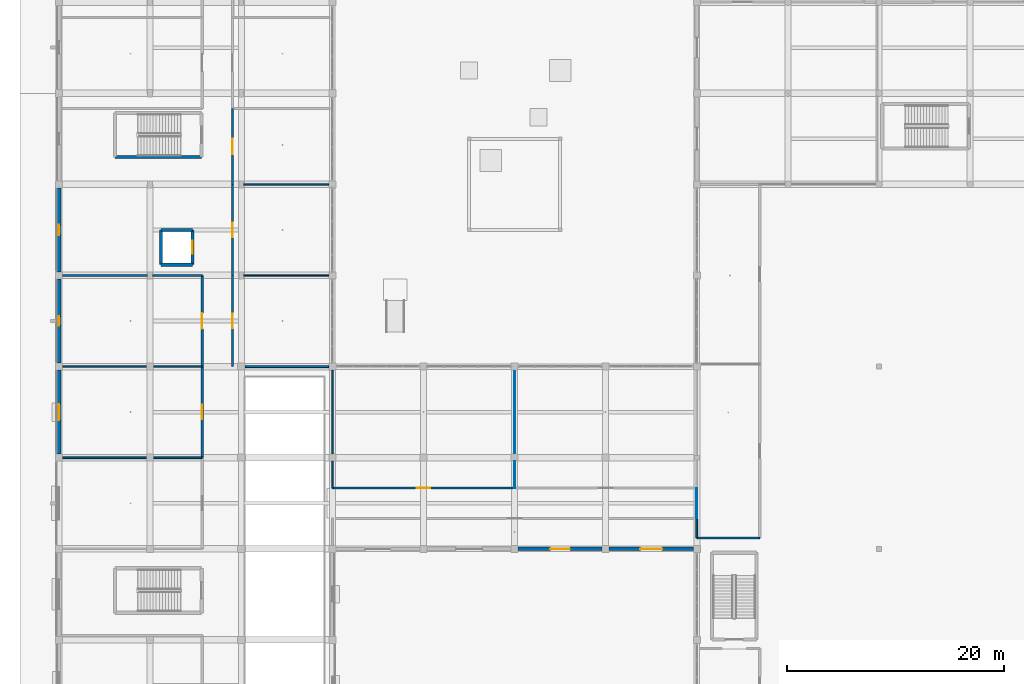
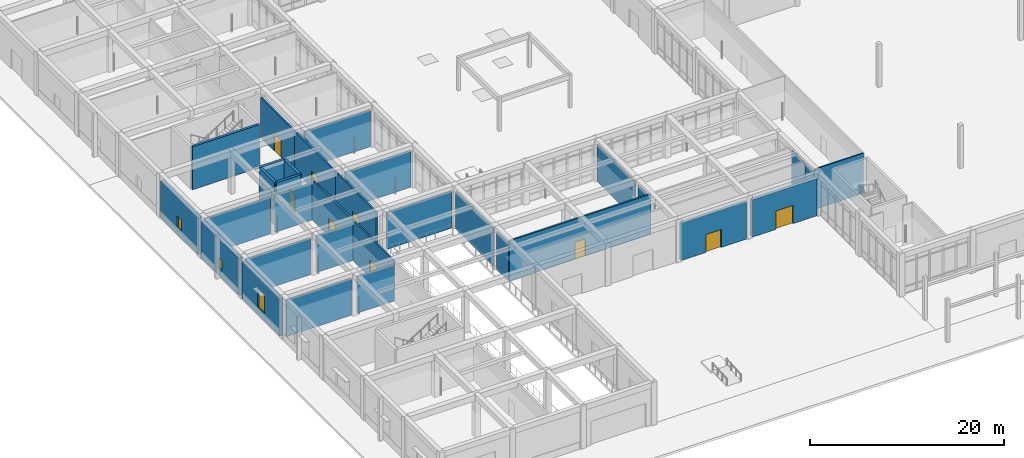
# One storey, part 62 of 167: 32 walls, 9 doors, 3 windows, 12 openings.
"""IFC4 building model written with IfcOpenShell, lengths in metres."""

from ifc_helpers import new_model, si_unit, direction, frame, frame_2d, origin, place, context, subcontext, project, spatial, rectangle, extrude, material, layer, layer_set, type_object, element, fill, save


model = new_model("IFC4")

# Units and contexts
model_context = context("Model", 3, precision=1e-05, world=origin(), true_north=direction((0.0, 1.0)))
body_context = subcontext(model_context, "Body", "Model", "MODEL_VIEW")
ifc_project = project(units=[si_unit("LENGTHUNIT", "METRE"), si_unit("AREAUNIT", "SQUARE_METRE"), si_unit("VOLUMEUNIT", "CUBIC_METRE"), si_unit("PLANEANGLEUNIT", "RADIAN"), si_unit("MASSUNIT", "GRAM", prefix="KILO")], contexts=[model_context])

# Site, building, storey
site_placement = place(None, origin())
site = spatial("IfcSite", under=ifc_project, at=site_placement, CompositionType="ELEMENT")
building_placement = place(site_placement, origin())
building = spatial("IfcBuilding", under=site, at=building_placement, Name="Varncliffe General Hospital", CompositionType="ELEMENT")
storey_placement = place(building_placement, origin())
storey = spatial("IfcBuildingStorey", under=building, at=storey_placement, Name="L00", CompositionType="ELEMENT", Elevation=0.0)

# Wall, opening, window
ifc_material_1 = material(Name="Precast concrete C40/50 with insulated cream lime-cement stucco", Category="concrete")
ifc_layer_1 = layer(ifc_material_1, 0.3798828125)
ifc_layer_set_1 = layer_set([ifc_layer_1], Name="Precast concrete C40/50 with insulated cream lime-cement stucco")
wall_type_1 = type_object("IfcWallType", Name="Exterior Insulated Stucco Wall EW26 (380mm)", PredefinedType="SOLIDWALL", material=ifc_layer_set_1)
wall_1_placement = place(storey_placement, frame((0.0, 49.52294921875, 0.0), z_axis=(0.0, 0.0, 1.0), x_axis=(0.0, 1.0, 0.0)))
wall_1 = element("IfcWall", 1, at=wall_1_placement, inside=storey, type_object=wall_type_1, Name="L00 Exterior Stucco Wall EW26-2", PredefinedType="SOLIDWALL", context=body_context, shape_type="SweptSolid", body=[
    extrude(rectangle(XDim=7.754150390625, YDim=0.3798828125, at=frame_2d((3.876953125, 0.0))), origin(), (0.0, 0.0, 1.0), 4.679931640625),
])
opening_1_placement = place(wall_1_placement, frame((3.402099609375, 0.0, 0.89990234375)))
opening_1 = element("IfcOpeningElement", 2, at=opening_1_placement, cuts=wall_1, Name="Opening WN39", PredefinedType="OPENING", context=body_context, shape_type="SweptSolid", body=[
    extrude(rectangle(XDim=0.949951171875, YDim=1.39990234375, at=frame_2d((0.47509765625, 0.699951171875))), frame((0.0, 0.199951171875, 0.0), z_axis=(0.0, -1.0, 0.0), x_axis=(1.0, 0.0, 0.0)), (0.0, 0.0, 1.0), 0.39990234375),
])
ifc_material_2 = material(Name="Triple low-E argon insulated vision glazing", Category="glass")
window_type_1 = type_object("IfcWindowType", Name="Triple-Glazed Hospital Window WN39 (950x1400)", PartitioningType="SINGLE_PANEL", PredefinedType="WINDOW", material=ifc_material_2)
window_1_placement = place(opening_1_placement, origin())
window_1 = element("IfcWindow", 3, at=window_1_placement, inside=storey, type_object=window_type_1, Name="L00 Hospital Window WN39-2", OverallHeight=1.39990234375, OverallWidth=0.949951171875, PartitioningType="SINGLE_PANEL", PredefinedType="WINDOW", context=body_context, shape_type="SweptSolid", body=[
    extrude(rectangle(XDim=0.949951171875, YDim=1.39990234375, at=frame_2d((0.47509765625, 0.699951171875))), frame((0.0, 0.030029296875, 0.0), z_axis=(0.0, -1.0, 0.0), x_axis=(1.0, 0.0, 0.0)), (0.0, 0.0, 1.0), 0.06005859375),
])
fill(opening_1, window_1)

# Wall, opening, door
ifc_layer_2 = layer(ifc_material_1, 0.330078125)
ifc_layer_set_2 = layer_set([ifc_layer_2], Name="Precast concrete C40/50 with insulated cream lime-cement stucco")
wall_type_2 = type_object("IfcWallType", Name="Exterior Insulated Stucco Wall EW33 (330mm)", PredefinedType="SOLIDWALL", material=ifc_layer_set_2)
wall_2_placement = place(storey_placement, frame((50.076904296875, 24.0, 0.0), z_axis=(0.0, 0.0, 1.0), x_axis=(-1.0, 0.0, 0.0)))
wall_2 = element("IfcWall", 4, at=wall_2_placement, inside=storey, type_object=wall_type_2, Name="L00 Exterior Stucco Wall EW33-68", PredefinedType="SOLIDWALL", context=body_context, shape_type="SweptSolid", body=[
    extrude(rectangle(XDim=7.75390625, YDim=0.330078125, at=frame_2d((3.876953125, 0.0))), origin(), (0.0, 0.0, 1.0), 4.679931640625),
])
opening_2_placement = place(wall_2_placement, frame((2.97705078125, 0.0, 0.0)))
opening_2 = element("IfcOpeningElement", 5, at=opening_2_placement, cuts=wall_2, Name="Opening DE28", PredefinedType="OPENING", context=body_context, shape_type="SweptSolid", body=[
    extrude(rectangle(XDim=1.800048828125, YDim=2.25, at=frame_2d((0.89990234375, 1.125))), frame((0.0, 0.175048828125, 0.0), z_axis=(0.0, -1.0, 0.0), x_axis=(1.0, 0.0, 0.0)), (0.0, 0.0, 1.0), 0.35009765625),
])
ifc_material_3 = material(Name="Thermally broken bronze-anodized aluminium and safety glass door", Category="aluminium")
door_type_1 = type_object("IfcDoorType", Name="Exterior Pedestrian Door DE28 (1800x2250)", OperationType="NOTDEFINED", PredefinedType="DOOR", material=ifc_material_3)
door_1_placement = place(opening_2_placement, origin())
door_1 = element("IfcDoor", 6, at=door_1_placement, inside=storey, type_object=door_type_1, Name="Main Pedestrian Entrance and Final Exit Door FE-23", OperationType="DOUBLE_DOOR_SINGLE_SWING", OverallHeight=2.25, OverallWidth=1.800048828125, PredefinedType="DOOR", context=body_context, shape_type="SweptSolid", body=[
    extrude(rectangle(XDim=1.800048828125, YDim=2.25, at=frame_2d((0.89990234375, 1.125))), frame((0.0, 0.02490234375, 0.0), z_axis=(0.0, -1.0, 0.0), x_axis=(1.0, 0.0, 0.0)), (0.0, 0.0, 1.0), 0.050048828125),
])
fill(opening_2, door_1)

ifc_layer_3 = layer(ifc_material_1, 0.35009765625)
ifc_layer_set_3 = layer_set([ifc_layer_3], Name="Precast concrete C40/50 with insulated cream lime-cement stucco")
wall_type_3 = type_object("IfcWallType", Name="Exterior Insulated Stucco Wall EW37 (350mm)", PredefinedType="SOLIDWALL", material=ifc_layer_set_3)
wall_3_placement = place(storey_placement, frame((58.47705078125, 24.0, 0.0), z_axis=(0.0, 0.0, 1.0), x_axis=(-1.0, 0.0, 0.0)))
wall_3 = element("IfcWall", 7, at=wall_3_placement, inside=storey, type_object=wall_type_3, Name="L00 Exterior Stucco Wall EW37-67", PredefinedType="SOLIDWALL", context=body_context, shape_type="SweptSolid", body=[
    extrude(rectangle(XDim=7.754150390625, YDim=0.35009765625, at=frame_2d((3.876953125, 0.0))), origin(), (0.0, 0.0, 1.0), 4.679931640625),
])
opening_3_placement = place(wall_3_placement, frame((2.876953125, 0.0, 0.0)))
opening_3 = element("IfcOpeningElement", 8, at=opening_3_placement, cuts=wall_3, Name="Opening DE53", PredefinedType="OPENING", context=body_context, shape_type="SweptSolid", body=[
    extrude(rectangle(XDim=2.0, YDim=2.300048828125, at=frame_2d((1.0, 1.14990234375))), frame((0.0, 0.18505859375, 0.0), z_axis=(0.0, -1.0, 0.0), x_axis=(1.0, 0.0, 0.0)), (0.0, 0.0, 1.0), 0.3701171875),
])
door_type_2 = type_object("IfcDoorType", Name="Exterior Pedestrian Door DE53 (2000x2300)", OperationType="NOTDEFINED", PredefinedType="DOOR", material=ifc_material_3)
door_2_placement = place(opening_3_placement, origin())
door_2 = element("IfcDoor", 9, at=door_2_placement, inside=storey, type_object=door_type_2, Name="Main Pedestrian Entrance and Final Exit Door FE-22", OperationType="DOUBLE_DOOR_SINGLE_SWING", OverallHeight=2.300048828125, OverallWidth=2.0, PredefinedType="DOOR", context=body_context, shape_type="SweptSolid", body=[
    extrude(rectangle(XDim=2.0, YDim=2.300048828125, at=frame_2d((1.0, 1.14990234375))), frame((0.0, 0.02490234375, 0.0), z_axis=(0.0, -1.0, 0.0), x_axis=(1.0, 0.0, 0.0)), (0.0, 0.0, 1.0), 0.050048828125),
])
fill(opening_3, door_2)

# Wall, opening, window
ifc_layer_4 = layer(ifc_material_1, 0.39990234375)
ifc_layer_set_4 = layer_set([ifc_layer_4], Name="Precast concrete C40/50 with insulated cream lime-cement stucco")
wall_type_4 = type_object("IfcWallType", Name="Exterior Insulated Stucco Wall EW47 (400mm)", PredefinedType="SOLIDWALL", material=ifc_layer_set_4)
wall_4_placement = place(storey_placement, frame((0.0, 41.123046875, 0.0), z_axis=(0.0, 0.0, 1.0), x_axis=(0.0, 1.0, 0.0)))
wall_4 = element("IfcWall", 10, at=wall_4_placement, inside=storey, type_object=wall_type_4, Name="L00 Exterior Stucco Wall EW47-1", PredefinedType="SOLIDWALL", context=body_context, shape_type="SweptSolid", body=[
    extrude(rectangle(XDim=7.75390625, YDim=0.39990234375, at=frame_2d((3.876953125, 0.0))), origin(), (0.0, 0.0, 1.0), 4.679931640625),
])
opening_4_placement = place(wall_4_placement, frame((3.451904296875, 0.0, 0.89990234375)))
opening_4 = element("IfcOpeningElement", 11, at=opening_4_placement, cuts=wall_4, Name="Opening WN77", PredefinedType="OPENING", context=body_context, shape_type="SweptSolid", body=[
    extrude(rectangle(XDim=0.85009765625, YDim=1.39990234375, at=frame_2d((0.425048828125, 0.699951171875))), frame((0.0, 0.2099609375, 0.0), z_axis=(0.0, -1.0, 0.0), x_axis=(1.0, 0.0, 0.0)), (0.0, 0.0, 1.0), 0.419921875),
])
window_type_2 = type_object("IfcWindowType", Name="Triple-Glazed Hospital Window WN77 (850x1400)", PartitioningType="SINGLE_PANEL", PredefinedType="WINDOW", material=ifc_material_2)
window_2_placement = place(opening_4_placement, origin())
window_2 = element("IfcWindow", 12, at=window_2_placement, inside=storey, type_object=window_type_2, Name="L00 Hospital Window WN77-1", OverallHeight=1.39990234375, OverallWidth=0.85009765625, PartitioningType="SINGLE_PANEL", PredefinedType="WINDOW", context=body_context, shape_type="SweptSolid", body=[
    extrude(rectangle(XDim=0.85009765625, YDim=1.39990234375, at=frame_2d((0.425048828125, 0.699951171875))), frame((0.0, 0.030029296875, 0.0), z_axis=(0.0, -1.0, 0.0), x_axis=(1.0, 0.0, 0.0)), (0.0, 0.0, 1.0), 0.06005859375),
])
fill(opening_4, window_2)

wall_5_placement = place(storey_placement, frame((0.0, 32.722900390625, 0.0), z_axis=(0.0, 0.0, 1.0), x_axis=(0.0, 1.0, 0.0)))
wall_5 = element("IfcWall", 13, at=wall_5_placement, inside=storey, type_object=wall_type_4, Name="L00 Exterior Stucco Wall EW47-81", PredefinedType="SOLIDWALL", context=body_context, shape_type="SweptSolid", body=[
    extrude(rectangle(XDim=7.754150390625, YDim=0.39990234375, at=frame_2d((3.876953125, 0.0))), origin(), (0.0, 0.0, 1.0), 4.679931640625),
])
opening_5_placement = place(wall_5_placement, frame((3.126953125, 0.0, 0.89990234375)))
opening_5 = element("IfcOpeningElement", 14, at=opening_5_placement, cuts=wall_5, Name="Opening WN14", PredefinedType="OPENING", context=body_context, shape_type="SweptSolid", body=[
    extrude(rectangle(XDim=1.5, YDim=2.35009765625, at=frame_2d((0.75, 1.175048828125))), frame((0.0, 0.2099609375, 0.0), z_axis=(0.0, -1.0, 0.0), x_axis=(1.0, 0.0, 0.0)), (0.0, 0.0, 1.0), 0.419921875),
])
window_type_3 = type_object("IfcWindowType", Name="Triple-Glazed Hospital Window WN14 (1500x2350)", PartitioningType="SINGLE_PANEL", PredefinedType="WINDOW", material=ifc_material_2)
window_3_placement = place(opening_5_placement, origin())
window_3 = element("IfcWindow", 15, at=window_3_placement, inside=storey, type_object=window_type_3, Name="L00 Hospital Window WN14-41", OverallHeight=2.35009765625, OverallWidth=1.5, PartitioningType="SINGLE_PANEL", PredefinedType="WINDOW", context=body_context, shape_type="SweptSolid", body=[
    extrude(rectangle(XDim=1.5, YDim=2.35009765625, at=frame_2d((0.75, 1.175048828125))), frame((0.0, 0.030029296875, 0.0), z_axis=(0.0, -1.0, 0.0), x_axis=(1.0, 0.0, 0.0)), (0.0, 0.0, 1.0), 0.06005859375),
])
fill(opening_5, window_3)

# Walls
ifc_material_4 = material(Name="Acoustic clinical gypsum stud partition assembly", Category="gypsum")
ifc_layer_5 = layer(ifc_material_4, 0.1298828125)
ifc_layer_set_5 = layer_set([ifc_layer_5], Name="Acoustic clinical gypsum stud partition assembly")
wall_type_5 = type_object("IfcWallType", Name="Interior Partitioning IW11 (130mm)", PredefinedType="PARTITIONING", material=ifc_layer_set_5)
wall_6_placement = place(storey_placement, frame((0.340087890625, 40.800048828125, 0.0), z_axis=(0.0, 0.0, 1.0), x_axis=(1.0, 0.0, 0.0)))
element("IfcWall", 16, at=wall_6_placement, inside=storey, type_object=wall_type_5, Name="L00 Interior Partition Wall IW11-98", PredefinedType="PARTITIONING", context=body_context, shape_type="SweptSolid", body=[
    extrude(rectangle(XDim=7.719970703125, YDim=0.1298828125, at=frame_2d((3.85986328125, 0.0))), origin(), (0.0, 0.0, 1.0), 4.635009765625),
])
wall_7_placement = place(storey_placement, frame((8.739990234375, 40.800048828125, 0.0), z_axis=(0.0, 0.0, 1.0), x_axis=(1.0, 0.0, 0.0)))
element("IfcWall", 17, at=wall_7_placement, inside=storey, type_object=wall_type_5, Name="L00 Interior Partition Wall IW11-99", PredefinedType="PARTITIONING", context=body_context, shape_type="SweptSolid", body=[
    extrude(rectangle(XDim=4.4599609375, YDim=0.1298828125, at=frame_2d((2.22998046875, 0.0))), origin(), (0.0, 0.0, 1.0), 4.635009765625),
])
ifc_layer_6 = layer(ifc_material_4, 0.169921875)
ifc_layer_set_6 = layer_set([ifc_layer_6], Name="Acoustic clinical gypsum stud partition assembly")
wall_type_6 = type_object("IfcWallType", Name="Interior Partitioning IW20 (170mm)", PredefinedType="PARTITIONING", material=ifc_layer_set_6)
wall_8_placement = place(storey_placement, frame((17.139892578125, 40.800048828125, 0.0), z_axis=(0.0, 0.0, 1.0), x_axis=(1.0, 0.0, 0.0)))
element("IfcWall", 18, at=wall_8_placement, inside=storey, type_object=wall_type_6, Name="L00 Interior Partition Wall IW20-100", PredefinedType="PARTITIONING", context=body_context, shape_type="SweptSolid", body=[
    extrude(rectangle(XDim=7.72021484375, YDim=0.169921875, at=frame_2d((3.860107421875, 0.0))), origin(), (0.0, 0.0, 1.0), 4.635009765625),
])
wall_9_placement = place(storey_placement, frame((0.340087890625, 49.199951171875, 0.0), z_axis=(0.0, 0.0, 1.0), x_axis=(1.0, 0.0, 0.0)))
element("IfcWall", 19, at=wall_9_placement, inside=storey, type_object=wall_type_6, Name="L00 Interior Partition Wall IW20-105", PredefinedType="PARTITIONING", context=body_context, shape_type="SweptSolid", body=[
    extrude(rectangle(XDim=7.81982421875, YDim=0.169921875, at=frame_2d((3.909912109375, 0.0))), origin(), (0.0, 0.0, 1.0), 4.635009765625),
])
wall_10_placement = place(storey_placement, frame((8.639892578125, 49.199951171875, 0.0), z_axis=(0.0, 0.0, 1.0), x_axis=(1.0, 0.0, 0.0)))
element("IfcWall", 20, at=wall_10_placement, inside=storey, type_object=wall_type_6, Name="L00 Interior Partition Wall IW20-106", PredefinedType="PARTITIONING", context=body_context, shape_type="SweptSolid", body=[
    extrude(rectangle(XDim=4.56005859375, YDim=0.169921875, at=frame_2d((2.280029296875, 0.0))), origin(), (0.0, 0.0, 1.0), 4.635009765625),
])
wall_11_placement = place(storey_placement, frame((58.800048828125, 25.0, 0.0), z_axis=(0.0, 0.0, 1.0), x_axis=(0.0, 1.0, 0.0)))
element("IfcWall", 21, at=wall_11_placement, inside=storey, type_object=wall_type_6, Name="L00 Interior Partition Wall IW20-315", PredefinedType="PARTITIONING", context=body_context, shape_type="SweptSolid", body=[
    extrude(rectangle(XDim=1.800048828125, YDim=0.169921875, at=frame_2d((0.89990234375, 0.0))), origin(), (0.0, 0.0, 1.0), 4.68505859375),
])
ifc_layer_7 = layer(ifc_material_4, 0.14990234375)
ifc_layer_set_7 = layer_set([ifc_layer_7], Name="Acoustic clinical gypsum stud partition assembly")
wall_type_7 = type_object("IfcWallType", Name="Interior Partitioning IW35 (150mm)", PredefinedType="PARTITIONING", material=ifc_layer_set_7)
wall_12_placement = place(storey_placement, frame((58.800048828125, 25.0, 0.0), z_axis=(0.0, 0.0, 1.0), x_axis=(1.0, 0.0, 0.0)))
element("IfcWall", 22, at=wall_12_placement, inside=storey, type_object=wall_type_7, Name="L00 Interior Partition Wall IW35-79", PredefinedType="PARTITIONING", context=body_context, shape_type="SweptSolid", body=[
    extrude(rectangle(XDim=5.800048828125, YDim=0.14990234375, at=frame_2d((2.89990234375, 0.0))), origin(), (0.0, 0.0, 1.0), 5.0400390625),
])
wall_13_placement = place(storey_placement, frame((0.340087890625, 32.39990234375, 0.0), z_axis=(0.0, 0.0, 1.0), x_axis=(1.0, 0.0, 0.0)))
element("IfcWall", 23, at=wall_13_placement, inside=storey, type_object=wall_type_7, Name="L00 Interior Partition Wall IW35-94", PredefinedType="PARTITIONING", context=body_context, shape_type="SweptSolid", body=[
    extrude(rectangle(XDim=7.719970703125, YDim=0.14990234375, at=frame_2d((3.85986328125, 0.0))), origin(), (0.0, 0.0, 1.0), 4.635009765625),
])
wall_14_placement = place(storey_placement, frame((8.739990234375, 32.39990234375, 0.0), z_axis=(0.0, 0.0, 1.0), x_axis=(1.0, 0.0, 0.0)))
element("IfcWall", 24, at=wall_14_placement, inside=storey, type_object=wall_type_7, Name="L00 Interior Partition Wall IW35-95", PredefinedType="PARTITIONING", context=body_context, shape_type="SweptSolid", body=[
    extrude(rectangle(XDim=4.4599609375, YDim=0.14990234375, at=frame_2d((2.22998046875, 0.0))), origin(), (0.0, 0.0, 1.0), 4.635009765625),
])
wall_15_placement = place(storey_placement, frame((17.0400390625, 57.60009765625, 0.0), z_axis=(0.0, 0.0, 1.0), x_axis=(1.0, 0.0, 0.0)))
element("IfcWall", 25, at=wall_15_placement, inside=storey, type_object=wall_type_7, Name="L00 Interior Partition Wall IW35-109", PredefinedType="PARTITIONING", context=body_context, shape_type="SweptSolid", body=[
    extrude(rectangle(XDim=7.820068359375, YDim=0.14990234375, at=frame_2d((3.91015625, 0.0))), origin(), (0.0, 0.0, 1.0), 4.635009765625),
])
wall_16_placement = place(storey_placement, frame((25.199951171875, 32.739990234375, 0.0), z_axis=(0.0, 0.0, 1.0), x_axis=(0.0, 1.0, 0.0)))
element("IfcWall", 26, at=wall_16_placement, inside=storey, type_object=wall_type_7, Name="L00 Interior Partition Wall IW35-289", PredefinedType="PARTITIONING", context=body_context, shape_type="SweptSolid", body=[
    extrude(rectangle(XDim=7.719970703125, YDim=0.14990234375, at=frame_2d((3.85986328125, 0.0))), origin(), (0.0, 0.0, 1.0), 4.68505859375),
])
wall_17_placement = place(storey_placement, frame((25.199951171875, 29.60009765625, 0.0), z_axis=(0.0, 0.0, 1.0), x_axis=(0.0, 1.0, 0.0)))
element("IfcWall", 27, at=wall_17_placement, inside=storey, type_object=wall_type_7, Name="L00 Interior Partition Wall IW35-290", PredefinedType="PARTITIONING", context=body_context, shape_type="SweptSolid", body=[
    extrude(rectangle(XDim=2.4599609375, YDim=0.14990234375, at=frame_2d((1.22998046875, 0.0))), origin(), (0.0, 0.0, 1.0), 4.68505859375),
])
ifc_layer_8 = layer(ifc_material_4, 0.090087890625)
ifc_layer_set_8 = layer_set([ifc_layer_8], Name="Acoustic clinical gypsum stud partition assembly")
wall_type_8 = type_object("IfcWallType", Name="Interior Partitioning IW42 (90mm)", PredefinedType="PARTITIONING", material=ifc_layer_set_8)
wall_18_placement = place(storey_placement, frame((42.0, 32.739990234375, 0.0), z_axis=(0.0, 0.0, 1.0), x_axis=(0.0, 1.0, 0.0)))
element("IfcWall", 28, at=wall_18_placement, inside=storey, type_object=wall_type_8, Name="L00 Interior Partition Wall IW42-301", PredefinedType="PARTITIONING", context=body_context, shape_type="SweptSolid", body=[
    extrude(rectangle(XDim=7.719970703125, YDim=0.090087890625, at=frame_2d((3.85986328125, 0.0))), origin(), (0.0, 0.0, 1.0), 4.68505859375),
])
wall_19_placement = place(storey_placement, frame((42.0, 29.60009765625, 0.0), z_axis=(0.0, 0.0, 1.0), x_axis=(0.0, 1.0, 0.0)))
element("IfcWall", 29, at=wall_19_placement, inside=storey, type_object=wall_type_8, Name="L00 Interior Partition Wall IW42-302", PredefinedType="PARTITIONING", context=body_context, shape_type="SweptSolid", body=[
    extrude(rectangle(XDim=2.4599609375, YDim=0.090087890625, at=frame_2d((1.22998046875, 0.0))), origin(), (0.0, 0.0, 1.0), 4.68505859375),
])
wall_20_placement = place(storey_placement, frame((58.800048828125, 26.800048828125, 0.0), z_axis=(0.0, 0.0, 1.0), x_axis=(0.0, 1.0, 0.0)))
element("IfcWall", 30, at=wall_20_placement, inside=storey, type_object=wall_type_8, Name="L00 Interior Partition Wall IW42-316", PredefinedType="PARTITIONING", context=body_context, shape_type="SweptSolid", body=[
    extrude(rectangle(XDim=2.800048828125, YDim=0.090087890625, at=frame_2d((1.39990234375, 0.0))), origin(), (0.0, 0.0, 1.0), 4.68505859375),
])
ifc_layer_9 = layer(ifc_material_4, 0.110107421875)
ifc_layer_set_9 = layer_set([ifc_layer_9], Name="Acoustic clinical gypsum stud partition assembly")
wall_type_9 = type_object("IfcWallType", Name="Interior Partitioning IW65 (110mm)", PredefinedType="PARTITIONING", material=ifc_layer_set_9)
wall_21_placement = place(storey_placement, frame((17.0400390625, 49.199951171875, 0.0), z_axis=(0.0, 0.0, 1.0), x_axis=(1.0, 0.0, 0.0)))
element("IfcWall", 31, at=wall_21_placement, inside=storey, type_object=wall_type_9, Name="L00 Interior Partition Wall IW65-107", PredefinedType="PARTITIONING", context=body_context, shape_type="SweptSolid", body=[
    extrude(rectangle(XDim=7.820068359375, YDim=0.110107421875, at=frame_2d((3.91015625, 0.0))), origin(), (0.0, 0.0, 1.0), 4.635009765625),
])

# Wall, opening, door
ifc_material_5 = material(Name="Fire-rated gypsum and mineral-wool partition assembly", Category="gypsum")
ifc_layer_10 = layer(ifc_material_5, 0.199951171875)
ifc_layer_set_10 = layer_set([ifc_layer_10], Name="Fire-rated gypsum and mineral-wool partition assembly")
wall_type_10 = type_object("IfcWallType", Name="Interior Partitioning PW63 (200mm)", PredefinedType="PARTITIONING", material=ifc_layer_set_10)
wall_22_placement = place(storey_placement, frame((25.199951171875, 29.60009765625, 0.0), z_axis=(0.0, 0.0, 1.0), x_axis=(1.0, 0.0, 0.0)))
wall_22 = element("IfcWall", 32, at=wall_22_placement, inside=storey, type_object=wall_type_10, Name="L00 Interior Partition Wall PW63-89", PredefinedType="PARTITIONING", context=body_context, shape_type="SweptSolid", body=[
    extrude(rectangle(XDim=16.800048828125, YDim=0.199951171875, at=frame_2d((8.39990234375, 0.0))), origin(), (0.0, 0.0, 1.0), 5.0400390625),
])
opening_6_placement = place(wall_22_placement, frame((7.77490234375, 0.0, 0.0)))
opening_6 = element("IfcOpeningElement", 33, at=opening_6_placement, cuts=wall_22, Name="Opening DC44", PredefinedType="OPENING", context=body_context, shape_type="SweptSolid", body=[
    extrude(rectangle(XDim=1.25, YDim=2.14990234375, at=frame_2d((0.625, 1.074951171875))), frame((0.0, 0.10986328125, 0.0), z_axis=(0.0, -1.0, 0.0), x_axis=(1.0, 0.0, 0.0)), (0.0, 0.0, 1.0), 0.219970703125),
])
ifc_material_6 = material(Name="Fire-rated hospital steel-frame vision-panel door", Category="steel")
door_type_3 = type_object("IfcDoorType", Name="Interior Hospital Door DC44 (1250x2150)", OperationType="NOTDEFINED", PredefinedType="DOOR", material=ifc_material_6)
door_3_placement = place(opening_6_placement, origin())
door_3 = element("IfcDoor", 34, at=door_3_placement, inside=storey, type_object=door_type_3, Name="L00 Acute Triage and Rapid-Assessment Suite Door", OperationType="SINGLE_SWING_LEFT", OverallHeight=2.14990234375, OverallWidth=1.25, PredefinedType="DOOR", context=body_context, shape_type="SweptSolid", body=[
    extrude(rectangle(XDim=1.25, YDim=2.14990234375, at=frame_2d((0.625, 1.074951171875))), frame((0.0, 0.02490234375, 0.0), z_axis=(0.0, -1.0, 0.0), x_axis=(1.0, 0.0, 0.0)), (0.0, 0.0, 1.0), 0.050048828125),
])
fill(opening_6, door_3)

wall_23_placement = place(storey_placement, frame((13.199951171875, 32.39990234375, 0.0), z_axis=(0.0, 0.0, 1.0), x_axis=(0.0, 1.0, 0.0)))
wall_23 = element("IfcWall", 35, at=wall_23_placement, inside=storey, type_object=wall_type_10, Name="L00 Interior Partition Wall PW63-271", PredefinedType="PARTITIONING", context=body_context, shape_type="SweptSolid", body=[
    extrude(rectangle(XDim=8.400146484375, YDim=0.199951171875, at=frame_2d((4.2001953125, 0.0))), origin(), (0.0, 0.0, 1.0), 5.0400390625),
])
opening_7_placement = place(wall_23_placement, frame((3.52490234375, 0.0, 0.0)))
opening_7 = element("IfcOpeningElement", 36, at=opening_7_placement, cuts=wall_23, Name="Opening DC85", PredefinedType="OPENING", context=body_context, shape_type="SweptSolid", body=[
    extrude(rectangle(XDim=1.35009765625, YDim=2.199951171875, at=frame_2d((0.675048828125, 1.10009765625))), frame((0.0, 0.10986328125, 0.0), z_axis=(0.0, -1.0, 0.0), x_axis=(1.0, 0.0, 0.0)), (0.0, 0.0, 1.0), 0.219970703125),
])
door_type_4 = type_object("IfcDoorType", Name="Interior Hospital Door DC85 (1350x2200)", OperationType="NOTDEFINED", PredefinedType="DOOR", material=ifc_material_6)
door_4_placement = place(opening_7_placement, origin())
door_4 = element("IfcDoor", 37, at=door_4_placement, inside=storey, type_object=door_type_4, Name="L00 Emergency Trauma Resuscitation Bay 2 Door", OperationType="SINGLE_SWING_LEFT", OverallHeight=2.199951171875, OverallWidth=1.35009765625, PredefinedType="DOOR", context=body_context, shape_type="SweptSolid", body=[
    extrude(rectangle(XDim=1.35009765625, YDim=2.199951171875, at=frame_2d((0.675048828125, 1.10009765625))), frame((0.0, 0.02490234375, 0.0), z_axis=(0.0, -1.0, 0.0), x_axis=(1.0, 0.0, 0.0)), (0.0, 0.0, 1.0), 0.050048828125),
])
fill(opening_7, door_4)

wall_24_placement = place(storey_placement, frame((13.199951171875, 40.800048828125, 0.0), z_axis=(0.0, 0.0, 1.0), x_axis=(0.0, 1.0, 0.0)))
wall_24 = element("IfcWall", 38, at=wall_24_placement, inside=storey, type_object=wall_type_10, Name="L00 Interior Partition Wall PW63-272", PredefinedType="PARTITIONING", context=body_context, shape_type="SweptSolid", body=[
    extrude(rectangle(XDim=8.39990234375, YDim=0.199951171875, at=frame_2d((4.199951171875, 0.0))), origin(), (0.0, 0.0, 1.0), 5.0400390625),
])
opening_8_placement = place(wall_24_placement, frame((3.47509765625, 0.0, 0.0)))
opening_8 = element("IfcOpeningElement", 39, at=opening_8_placement, cuts=wall_24, Name="Opening DC66", PredefinedType="OPENING", context=body_context, shape_type="SweptSolid", body=[
    extrude(rectangle(XDim=1.449951171875, YDim=2.25, at=frame_2d((0.72509765625, 1.125))), frame((0.0, 0.10986328125, 0.0), z_axis=(0.0, -1.0, 0.0), x_axis=(1.0, 0.0, 0.0)), (0.0, 0.0, 1.0), 0.219970703125),
])
door_type_5 = type_object("IfcDoorType", Name="Interior Hospital Door DC66 (1450x2250)", OperationType="NOTDEFINED", PredefinedType="DOOR", material=ifc_material_6)
door_5_placement = place(opening_8_placement, origin())
door_5 = element("IfcDoor", 40, at=door_5_placement, inside=storey, type_object=door_type_5, Name="L00 Diagnostic 3T MRI Imaging Suite 52 Door", OperationType="SINGLE_SWING_RIGHT", OverallHeight=2.25, OverallWidth=1.449951171875, PredefinedType="DOOR", context=body_context, shape_type="SweptSolid", body=[
    extrude(rectangle(XDim=1.449951171875, YDim=2.25, at=frame_2d((0.72509765625, 1.125))), frame((0.0, 0.02490234375, 0.0), z_axis=(0.0, -1.0, 0.0), x_axis=(1.0, 0.0, 0.0)), (0.0, 0.0, 1.0), 0.050048828125),
])
fill(opening_8, door_5)

wall_25_placement = place(storey_placement, frame((16.0, 40.800048828125, 0.0), z_axis=(0.0, 0.0, 1.0), x_axis=(0.0, 1.0, 0.0)))
wall_25 = element("IfcWall", 41, at=wall_25_placement, inside=storey, type_object=wall_type_10, Name="L00 Interior Partition Wall PW63-277", PredefinedType="PARTITIONING", context=body_context, shape_type="SweptSolid", body=[
    extrude(rectangle(XDim=8.39990234375, YDim=0.199951171875, at=frame_2d((4.199951171875, 0.0))), origin(), (0.0, 0.0, 1.0), 5.0400390625),
])
opening_9_placement = place(wall_25_placement, frame((3.550048828125, 0.0, 0.0)))
opening_9 = element("IfcOpeningElement", 42, at=opening_9_placement, cuts=wall_25, Name="Opening DC88", PredefinedType="OPENING", context=body_context, shape_type="SweptSolid", body=[
    extrude(rectangle(XDim=1.300048828125, YDim=2.199951171875, at=frame_2d((0.64990234375, 1.10009765625))), frame((0.0, 0.10986328125, 0.0), z_axis=(0.0, -1.0, 0.0), x_axis=(1.0, 0.0, 0.0)), (0.0, 0.0, 1.0), 0.219970703125),
])
door_type_6 = type_object("IfcDoorType", Name="Interior Hospital Door DC88 (1300x2200)", OperationType="NOTDEFINED", PredefinedType="DOOR", material=ifc_material_6)
door_6_placement = place(opening_9_placement, frame((1.300048828125, 0.0, 0.0), z_axis=(0.0, 0.0, 1.0), x_axis=(-1.0, 0.0, 0.0)))
door_6 = element("IfcDoor", 43, at=door_6_placement, inside=storey, type_object=door_type_6, Name="L00 Diagnostic 3T MRI Imaging Suite 55 Door", OperationType="SINGLE_SWING_LEFT", OverallHeight=2.199951171875, OverallWidth=1.300048828125, PredefinedType="DOOR", context=body_context, shape_type="SweptSolid", body=[
    extrude(rectangle(XDim=1.300048828125, YDim=2.199951171875, at=frame_2d((0.64990234375, 1.10009765625))), frame((0.0, 0.02490234375, 0.0), z_axis=(0.0, -1.0, 0.0), x_axis=(1.0, 0.0, 0.0)), (0.0, 0.0, 1.0), 0.050048828125),
])
fill(opening_9, door_6)

wall_26_placement = place(storey_placement, frame((16.0, 49.199951171875, 0.0), z_axis=(0.0, 0.0, 1.0), x_axis=(0.0, 1.0, 0.0)))
wall_26 = element("IfcWall", 44, at=wall_26_placement, inside=storey, type_object=wall_type_10, Name="L00 Interior Partition Wall PW63-278", PredefinedType="PARTITIONING", context=body_context, shape_type="SweptSolid", body=[
    extrude(rectangle(XDim=8.400146484375, YDim=0.199951171875, at=frame_2d((4.2001953125, 0.0))), origin(), (0.0, 0.0, 1.0), 5.0400390625),
])
opening_10_placement = place(wall_26_placement, frame((3.52490234375, 0.0, 0.0)))
opening_10 = element("IfcOpeningElement", 45, at=opening_10_placement, cuts=wall_26, Name="Opening DC85", PredefinedType="OPENING", context=body_context, shape_type="SweptSolid", body=[
    extrude(rectangle(XDim=1.35009765625, YDim=2.199951171875, at=frame_2d((0.675048828125, 1.10009765625))), frame((0.0, 0.10986328125, 0.0), z_axis=(0.0, -1.0, 0.0), x_axis=(1.0, 0.0, 0.0)), (0.0, 0.0, 1.0), 0.219970703125),
])
door_7_placement = place(opening_10_placement, frame((1.35009765625, 0.0, 0.0), z_axis=(0.0, 0.0, 1.0), x_axis=(-1.0, 0.0, 0.0)))
door_7 = element("IfcDoor", 46, at=door_7_placement, inside=storey, type_object=door_type_4, Name="L00 Dual-Source CT Radiology Room 56 Door", OperationType="SINGLE_SWING_RIGHT", OverallHeight=2.199951171875, OverallWidth=1.35009765625, PredefinedType="DOOR", context=body_context, shape_type="SweptSolid", body=[
    extrude(rectangle(XDim=1.35009765625, YDim=2.199951171875, at=frame_2d((0.675048828125, 1.10009765625))), frame((0.0, 0.02490234375, 0.0), z_axis=(0.0, -1.0, 0.0), x_axis=(1.0, 0.0, 0.0)), (0.0, 0.0, 1.0), 0.050048828125),
])
fill(opening_10, door_7)

wall_27_placement = place(storey_placement, frame((16.0, 57.60009765625, 0.0), z_axis=(0.0, 0.0, 1.0), x_axis=(0.0, 1.0, 0.0)))
wall_27 = element("IfcWall", 47, at=wall_27_placement, inside=storey, type_object=wall_type_10, Name="L00 Interior Partition Wall PW63-279", PredefinedType="PARTITIONING", context=body_context, shape_type="SweptSolid", body=[
    extrude(rectangle(XDim=7.0, YDim=0.199951171875, at=frame_2d((3.5, 0.0))), origin(), (0.0, 0.0, 1.0), 5.0400390625),
])
opening_11_placement = place(wall_27_placement, frame((2.77490234375, 0.0, 0.0)))
opening_11 = element("IfcOpeningElement", 48, at=opening_11_placement, cuts=wall_27, Name="Opening DC66", PredefinedType="OPENING", context=body_context, shape_type="SweptSolid", body=[
    extrude(rectangle(XDim=1.449951171875, YDim=2.25, at=frame_2d((0.72509765625, 1.125))), frame((0.0, 0.10986328125, 0.0), z_axis=(0.0, -1.0, 0.0), x_axis=(1.0, 0.0, 0.0)), (0.0, 0.0, 1.0), 0.219970703125),
])
door_8_placement = place(opening_11_placement, frame((1.449951171875, 0.0, 0.0), z_axis=(0.0, 0.0, 1.0), x_axis=(-1.0, 0.0, 0.0)))
door_8 = element("IfcDoor", 49, at=door_8_placement, inside=storey, type_object=door_type_5, Name="L00 Nuclear Medicine and Ultrasound Suite 57 Door", OperationType="SINGLE_SWING_LEFT", OverallHeight=2.25, OverallWidth=1.449951171875, PredefinedType="DOOR", context=body_context, shape_type="SweptSolid", body=[
    extrude(rectangle(XDim=1.449951171875, YDim=2.25, at=frame_2d((0.72509765625, 1.125))), frame((0.0, 0.02490234375, 0.0), z_axis=(0.0, -1.0, 0.0), x_axis=(1.0, 0.0, 0.0)), (0.0, 0.0, 1.0), 0.050048828125),
])
fill(opening_11, door_8)

# Wall
ifc_material_7 = material(Name="Concrete C40/50 (CSA A23.1 40 MPa)", Category="concrete")
ifc_layer_11 = layer(ifc_material_7, 0.300048828125)
ifc_layer_set_11 = layer_set([ifc_layer_11], Name="Concrete C40/50 (CSA A23.1 40 MPa)")
wall_type_11 = type_object("IfcWallType", Name="Reinforced Concrete Core Shear Wall CW12 (300mm)", PredefinedType="SHEAR", material=ifc_layer_set_11)
wall_28_placement = place(storey_placement, frame((9.39990234375, 50.199951171875, 0.0), z_axis=(0.0, 0.0, 1.0), x_axis=(1.0, 0.0, 0.0)))
element("IfcWall", 50, at=wall_28_placement, inside=storey, type_object=wall_type_11, Name="L00 LF06 Elevator Shaft Wall South", PredefinedType="SHEAR", context=body_context, shape_type="SweptSolid", body=[
    extrude(rectangle(XDim=2.900146484375, YDim=0.300048828125, at=frame_2d((1.4501953125, 0.0))), origin(), (0.0, 0.0, 1.0), 5.39990234375),
])

# Wall, opening, door
wall_29_placement = place(storey_placement, frame((12.300048828125, 50.199951171875, 0.0), z_axis=(0.0, 0.0, 1.0), x_axis=(0.0, 1.0, 0.0)))
wall_29 = element("IfcWall", 51, at=wall_29_placement, inside=storey, type_object=wall_type_11, Name="L00 LF06 Elevator Shaft Wall East", PredefinedType="SHEAR", context=body_context, shape_type="SweptSolid", body=[
    extrude(rectangle(XDim=3.199951171875, YDim=0.300048828125, at=frame_2d((1.60009765625, 0.0))), origin(), (0.0, 0.0, 1.0), 5.39990234375),
])
opening_12_placement = place(wall_29_placement, frame((1.0, 0.0, 0.0)))
opening_12 = element("IfcOpeningElement", 52, at=opening_12_placement, cuts=wall_29, Name="Opening LD01", PredefinedType="OPENING", context=body_context, shape_type="SweptSolid", body=[
    extrude(rectangle(XDim=1.199951171875, YDim=2.199951171875, at=frame_2d((0.60009765625, 1.10009765625))), frame((0.0, 0.16015625, 0.0), z_axis=(0.0, -1.0, 0.0), x_axis=(1.0, 0.0, 0.0)), (0.0, 0.0, 1.0), 0.320068359375),
])
ifc_material_8 = material(Name="Brushed stainless-steel sliding elevator landing door", Category="steel")
door_type_7 = type_object("IfcDoorType", Name="Lift Landing Door LD01 (1200x2200)", OperationType="DOUBLE_DOOR_SLIDING", PredefinedType="DOOR", material=ifc_material_8)
door_9_placement = place(opening_12_placement, origin())
door_9 = element("IfcDoor", 53, at=door_9_placement, inside=storey, type_object=door_type_7, Name="Lift Landing Door LF06 L00", OperationType="DOUBLE_DOOR_SLIDING", OverallHeight=2.199951171875, OverallWidth=1.199951171875, PredefinedType="DOOR", context=body_context, shape_type="SweptSolid", body=[
    extrude(rectangle(XDim=1.199951171875, YDim=2.199951171875, at=frame_2d((0.60009765625, 1.10009765625))), frame((0.0, 0.02490234375, 0.0), z_axis=(0.0, -1.0, 0.0), x_axis=(1.0, 0.0, 0.0)), (0.0, 0.0, 1.0), 0.050048828125),
])
fill(opening_12, door_9)

# Walls
wall_30_placement = place(storey_placement, frame((12.300048828125, 53.39990234375, 0.0), z_axis=(0.0, 0.0, 1.0), x_axis=(-1.0, 0.0, 0.0)))
element("IfcWall", 54, at=wall_30_placement, inside=storey, type_object=wall_type_11, Name="L00 LF06 Elevator Shaft Wall North", PredefinedType="SHEAR", context=body_context, shape_type="SweptSolid", body=[
    extrude(rectangle(XDim=2.900146484375, YDim=0.300048828125, at=frame_2d((1.4501953125, 0.0))), origin(), (0.0, 0.0, 1.0), 5.39990234375),
])
wall_31_placement = place(storey_placement, frame((9.39990234375, 53.39990234375, 0.0), z_axis=(0.0, 0.0, 1.0), x_axis=(0.0, -1.0, 0.0)))
element("IfcWall", 55, at=wall_31_placement, inside=storey, type_object=wall_type_11, Name="L00 LF06 Elevator Shaft Wall West", PredefinedType="SHEAR", context=body_context, shape_type="SweptSolid", body=[
    extrude(rectangle(XDim=3.199951171875, YDim=0.300048828125, at=frame_2d((1.60009765625, 0.0))), origin(), (0.0, 0.0, 1.0), 5.39990234375),
])
ifc_layer_12 = layer(ifc_material_7, 0.280029296875)
ifc_layer_set_12 = layer_set([ifc_layer_12], Name="Concrete C40/50 (CSA A23.1 40 MPa)")
wall_type_12 = type_object("IfcWallType", Name="Reinforced Concrete Core Shear Wall CW13 (280mm)", PredefinedType="SHEAR", material=ifc_layer_set_12)
wall_32_placement = place(storey_placement, frame((5.159912109375, 60.110107421875, 0.0), z_axis=(0.0, 0.0, 1.0), x_axis=(1.0, 0.0, 0.0)))
element("IfcWall", 56, at=wall_32_placement, inside=storey, type_object=wall_type_12, Name="L00 ST05 Core Shear Wall R", PredefinedType="SHEAR", context=body_context, shape_type="SweptSolid", body=[
    extrude(rectangle(XDim=7.97998046875, YDim=0.280029296875, at=frame_2d((3.989990234375, 0.0))), origin(), (0.0, 0.0, 1.0), 5.39990234375),
])

save(model, "model.ifc")
